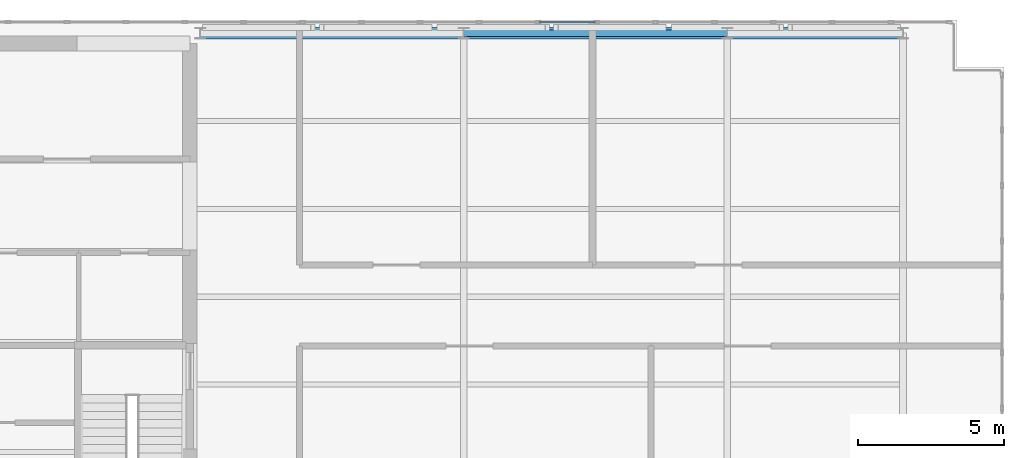
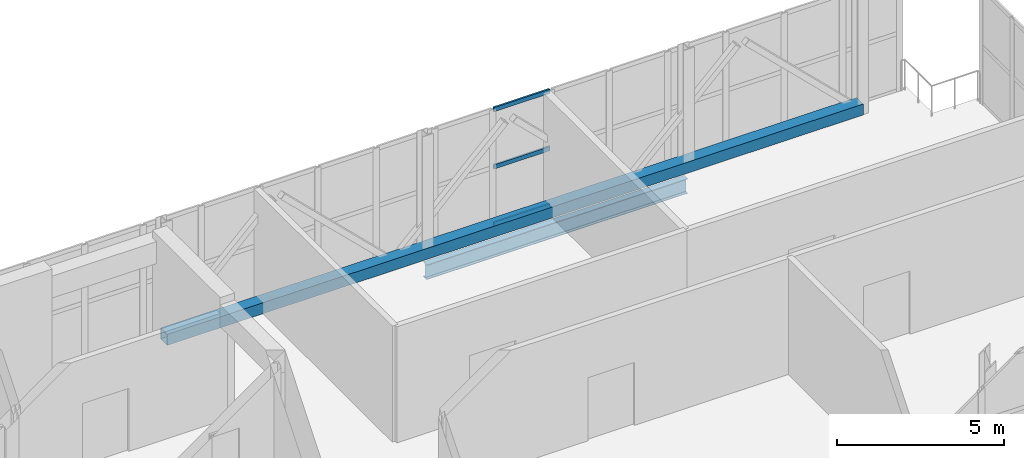
# One storey, part 12 of 21: 4 members, 1 beam, 1 element without a shape of its own.
"""IFC4 building model written with IfcOpenShell, lengths in metres."""

from ifc_helpers import new_model, si_unit, direction, frame, origin, origin_2d, place, context, subcontext, project, spatial, hollow_rectangle, i_section, extrude, material, layer, layer_set, material_profile, profile_set, type_object, element, aggregate, save


model = new_model("IFC4")

# Units and contexts
model_context = context("Model", 3, precision=1e-05, world=origin(), true_north=direction((0.0, 1.0)))
body_context = subcontext(model_context, "Body", "Model", "MODEL_VIEW")
ifc_project = project(units=[si_unit("LENGTHUNIT", "METRE"), si_unit("AREAUNIT", "SQUARE_METRE"), si_unit("VOLUMEUNIT", "CUBIC_METRE"), si_unit("PLANEANGLEUNIT", "RADIAN"), si_unit("MASSUNIT", "GRAM", prefix="KILO")], contexts=[model_context])

# Site, building, storey
site_placement = place(None, origin())
site = spatial("IfcSite", under=ifc_project, at=site_placement, CompositionType="ELEMENT")
building_placement = place(site_placement, origin())
building = spatial("IfcBuilding", under=site, at=building_placement, Name="Mawjdan Bourse Tower", CompositionType="ELEMENT")
storey_placement = place(building_placement, frame((0.0, 0.0, 317.699951171875)))
storey = spatial("IfcBuildingStorey", under=building, at=storey_placement, Name="L78", CompositionType="ELEMENT", Elevation=317.699951171875)

# Member
ifc_material_1 = material(Name="Structural Steel S460", Category="steel")
ifc_material_profile_1 = material_profile(ifc_material_1, hollow_rectangle(XDim=0.39990234375, YDim=0.39990234375, WallThickness=0.01611328125, at=origin_2d()), Name="HSS400X400X16")
ifc_profile_set_1 = profile_set([ifc_material_profile_1], Name="Structural Steel S460")
member_type_1 = type_object("IfcMemberType", Name="CHD-HSS400X400X16", PredefinedType="CHORD", material=ifc_profile_set_1)
member_1_placement = place(storey_placement, frame((24.0, 21.0, 0.199951171875), z_axis=(1.0, 0.0, 0.0), x_axis=(0.0, 1.0, 0.0)))
element("IfcMember", 1, at=member_1_placement, inside=storey, type_object=member_type_1, Name="L78 Lantern Crown Braced Frame North Bottom Chord", PredefinedType="CHORD", context=body_context, shape_type="SweptSolid", body=[
    extrude(hollow_rectangle(XDim=0.39990234375, YDim=0.39990234375, WallThickness=0.01611328125, at=origin_2d()), origin(), (0.0, 0.0, 1.0), 24.0),
])

# Beam
ifc_material_2 = material(Name="Structural Steel S355", Category="steel")
ifc_material_profile_2 = material_profile(ifc_material_2, i_section(OverallWidth=0.2099609375, OverallDepth=0.537109375, WebThickness=0.010986328125, FlangeThickness=0.017333984375, FilletRadius=0.013916015625, at=origin_2d()), Name="W21X68")
ifc_profile_set_2 = profile_set([ifc_material_profile_2], Name="Structural Steel S355")
beam_type = type_object("IfcBeamType", Name="SPN-W21X68", PredefinedType="SPANDREL", material=ifc_profile_set_2)
beam_placement = place(storey_placement, frame((33.0, 21.0, -0.54833984375), z_axis=(1.0, 0.0, 0.0), x_axis=(0.0, 1.0, 0.0)))
element("IfcBeam", 2, at=beam_placement, inside=storey, type_object=beam_type, Name="L78 Perimeter Masonry-Shelf Spandrel 009", PredefinedType="SPANDREL", context=body_context, shape_type="SweptSolid", body=[
    extrude(i_section(OverallWidth=0.2099609375, OverallDepth=0.537109375, WebThickness=0.010986328125, FlangeThickness=0.017333984375, FilletRadius=0.013916015625, at=origin_2d()), origin(), (0.0, 0.0, 1.0), 9.0),
])

# Curtain wall, members
ifc_material_3 = material(Name="Thermally Broken Aluminium and Solar Glass", Category="aluminium")
ifc_layer = layer(ifc_material_3, 0.219970703125)
ifc_layer_set = layer_set([ifc_layer], Name="Thermally Broken Aluminium and Solar Glass")
curtain_wall_type = type_object("IfcCurtainWallType", Name="CW-CRN", PredefinedType="USERDEFINED", material=ifc_layer_set)
curtain_wall_placement = place(storey_placement, origin())
curtain_wall = element("IfcCurtainWall", 3, at=curtain_wall_placement, inside=storey, type_object=curtain_wall_type, Name="L78 Lantern Crown North Curtain Wall", ObjectType="LANTERN GLAZED CROWN", PredefinedType="USERDEFINED")
ifc_material_4 = material(Name="Thermally Broken Anodised Aluminium", Category="aluminium")
ifc_material_profile_3 = material_profile(ifc_material_4, hollow_rectangle(XDim=0.06005859375, YDim=0.155029296875, WallThickness=0.00390625, at=origin_2d()), Name="ALU-TRN-155X60")
ifc_profile_set_3 = profile_set([ifc_material_profile_3], Name="Thermally Broken Anodised Aluminium")
member_type_2 = type_object("IfcMemberType", Name="TRN-ALU-TRN-155X60", PredefinedType="USERDEFINED", material=ifc_profile_set_3)
member_2_placement = place(storey_placement, frame((37.50537109375, 21.3701171875, 0.030029296875), z_axis=(-1.0, 0.0, 0.0), x_axis=(0.0, -1.0, 0.0)))
member_2 = element("IfcMember", 4, at=member_2_placement, type_object=member_type_2, Name="CW-CRN-L78-CRN-N transom 7.1", ObjectType="TRANSOM", PredefinedType="USERDEFINED", context=body_context, shape_type="SweptSolid", body=[
    extrude(hollow_rectangle(XDim=0.06005859375, YDim=0.155029296875, WallThickness=0.00390625, at=origin_2d()), origin(), (0.0, 0.0, 1.0), 1.9345703125),
])
member_3_placement = place(storey_placement, frame((37.50537109375, 21.3701171875, 2.1201171875), z_axis=(-1.0, 0.0, 0.0), x_axis=(0.0, -1.0, 0.0)))
member_3 = element("IfcMember", 5, at=member_3_placement, type_object=member_type_2, Name="CW-CRN-L78-CRN-N transom 7.2", ObjectType="TRANSOM", PredefinedType="USERDEFINED", context=body_context, shape_type="SweptSolid", body=[
    extrude(hollow_rectangle(XDim=0.06005859375, YDim=0.155029296875, WallThickness=0.00390625, at=origin_2d()), origin(), (0.0, 0.0, 1.0), 1.9345703125),
])
member_4_placement = place(storey_placement, frame((37.50537109375, 21.3701171875, 4.2099609375), z_axis=(-1.0, 0.0, 0.0), x_axis=(0.0, -1.0, 0.0)))
member_4 = element("IfcMember", 6, at=member_4_placement, type_object=member_type_2, Name="CW-CRN-L78-CRN-N transom 7.3", ObjectType="TRANSOM", PredefinedType="USERDEFINED", context=body_context, shape_type="SweptSolid", body=[
    extrude(hollow_rectangle(XDim=0.06005859375, YDim=0.155029296875, WallThickness=0.00390625, at=origin_2d()), origin(), (0.0, 0.0, 1.0), 1.9345703125),
])
aggregate(curtain_wall, [member_2, member_3, member_4])

save(model, "model.ifc")
